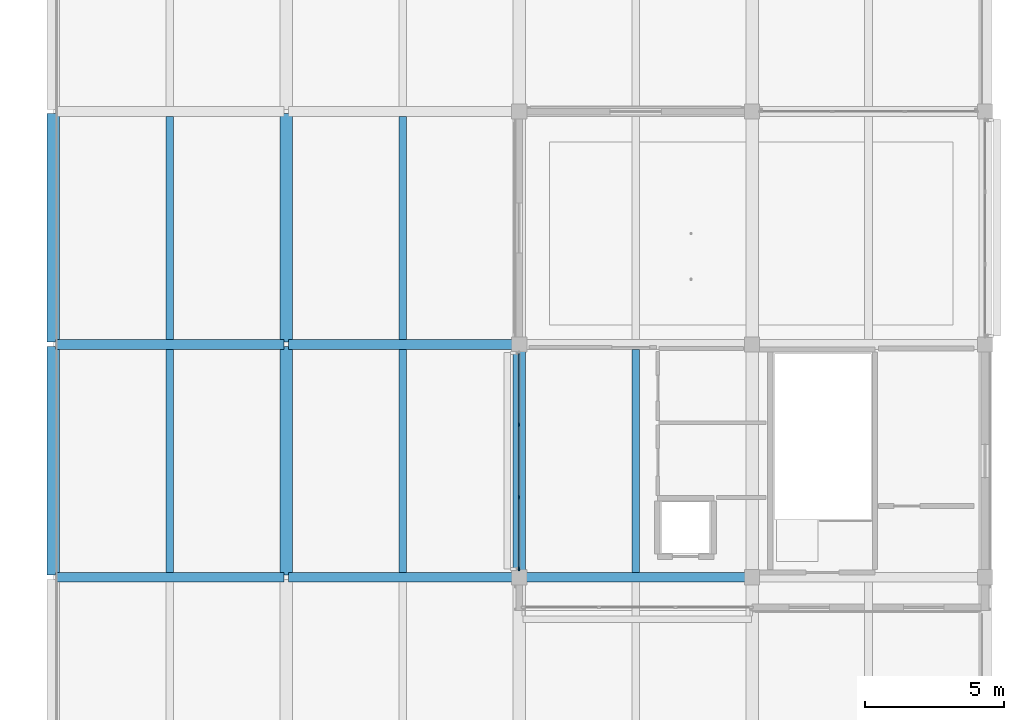
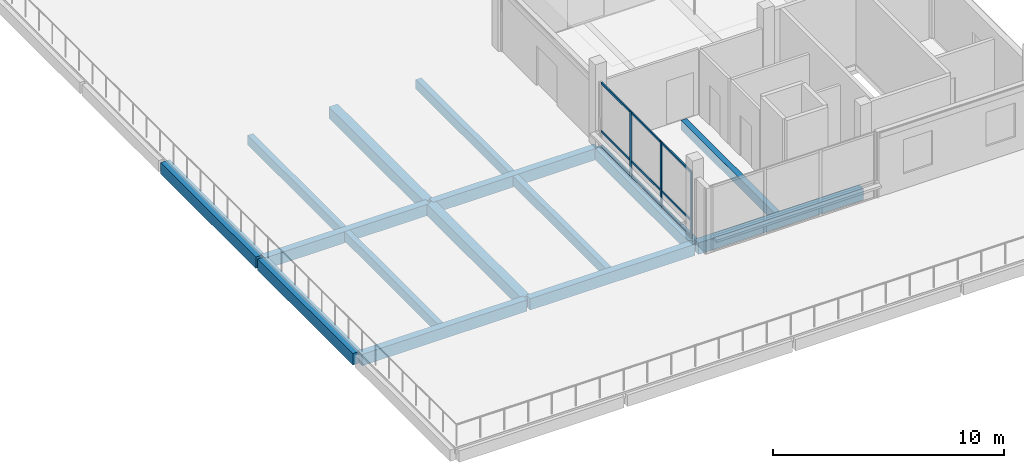
# One storey, part 3 of 59: 15 beams, 12 members, 1 element without a shape of its own.
"""IFC4 building model written with IfcOpenShell, lengths in metres."""

import ifcopenshell
import ifcopenshell.guid

model = None  # the IFC model being written
_history = None  # IfcOwnerHistory: only IFC2X3 demands one
_inside = {}  # id of a spatial element -> (the spatial element, [elements in it])
_under = {}  # id of a project, library or spatial element -> (it, [spatial elements below it])
_declared = {}  # id of a project -> (the project, [libraries it declares])
_typed = {}  # id of a type object -> (the type object, [elements of that type])
_made_of = {}  # id of a material, layer set ... -> (it, [elements and type objects made of it])


def new_model(schema):
    """Start an empty IFC model of exactly this schema.

    Asked for "IFC4X3", IfcOpenShell would pick the latest addendum, in which some entities
    have other attributes; the version numbers below select the first issue.
    IFC2X3 requires an IfcOwnerHistory on every rooted entity: one is made here for all.
    """
    global model, _history
    if schema == "IFC4X3":
        model = ifcopenshell.file(schema_version=(4, 3, 0, 0))
    else:
        model = ifcopenshell.file(schema=schema)
    _inside.clear()
    _under.clear()
    _declared.clear()
    _typed.clear()
    _made_of.clear()
    _history = None
    if model.schema == "IFC2X3":
        org = make("IfcOrganization", Name="unknown")
        user = make(
            "IfcPersonAndOrganization",
            ThePerson=make("IfcPerson", FamilyName="unknown"),
            TheOrganization=org,
        )
        app = make(
            "IfcApplication",
            ApplicationDeveloper=org,
            Version="unknown",
            ApplicationFullName="unknown",
            ApplicationIdentifier="unknown",
        )
        _history = make(
            "IfcOwnerHistory",
            OwningUser=user,
            OwningApplication=app,
            ChangeAction="ADDED",
            CreationDate=0,
        )
    return model


def make(cls, **values):
    """One entity of the class cls with the attributes given. An attribute that is None is left unset."""
    return model.create_entity(
        cls, **{name: value for name, value in values.items() if value is not None}
    )


def rooted(cls, **values):
    """An entity with a GlobalId (a new one), such as an element, a storey or a relation."""
    return make(cls, GlobalId=ifcopenshell.guid.new(), OwnerHistory=_history, **values)


def si_unit(unit_type, name, prefix=None):
    """IfcSIUnit, for example si_unit("LENGTHUNIT", "METRE", prefix="MILLI")."""
    return make("IfcSIUnit", UnitType=unit_type, Prefix=prefix, Name=name)


def assignment(units):
    """IfcUnitAssignment: the units of a project."""
    return None if units is None else make("IfcUnitAssignment", Units=units)


def point(xyz):
    """IfcCartesianPoint."""
    return None if xyz is None else make("IfcCartesianPoint", Coordinates=xyz)


def direction(xyz):
    """IfcDirection."""
    return None if xyz is None else make("IfcDirection", DirectionRatios=xyz)


def frame(location, z_axis=None, x_axis=None):
    """IfcAxis2Placement3D, a coordinate frame: its origin and axes. An axis left out is left unset."""
    return make(
        "IfcAxis2Placement3D",
        Location=point(location),
        Axis=direction(z_axis),
        RefDirection=direction(x_axis),
    )


def frame_2d(location, x_axis=None):
    """IfcAxis2Placement2D, a coordinate frame in the plane: its origin and x axis."""
    return make(
        "IfcAxis2Placement2D", Location=point(location), RefDirection=direction(x_axis)
    )


def origin():
    """The frame at (0, 0, 0) with its axes left unset."""
    return frame((0.0, 0.0, 0.0))


def origin_2d():
    """The frame at (0, 0) in the plane with its x axis left unset."""
    return frame_2d((0.0, 0.0))


def place(relative_to, where):
    """IfcLocalPlacement: puts the frame where relative to a parent placement (None: the world)."""
    return make(
        "IfcLocalPlacement", PlacementRelTo=relative_to, RelativePlacement=where
    )


def context(
    kind, dimensions, precision=None, world=None, true_north=None, identifier=None
):
    """IfcGeometricRepresentationContext, for example the 3D "Model" context."""
    return make(
        "IfcGeometricRepresentationContext",
        ContextIdentifier=identifier,
        ContextType=kind,
        CoordinateSpaceDimension=dimensions,
        Precision=precision,
        WorldCoordinateSystem=world,
        TrueNorth=true_north,
    )


def subcontext(parent, identifier, kind, view, scale=None):
    """IfcGeometricRepresentationSubContext, for example "Body" below "Model"."""
    return make(
        "IfcGeometricRepresentationSubContext",
        ContextIdentifier=identifier,
        ContextType=kind,
        ParentContext=parent,
        TargetScale=scale,
        TargetView=view,
    )


def project(units=None, contexts=None):
    """IfcProject with its units and contexts."""
    return rooted(
        "IfcProject",
        Name="project",
        RepresentationContexts=contexts,
        UnitsInContext=assignment(units),
    )


def spatial(cls, under=None, at=None, **own):
    """A site, building, storey or space (cls), placed at a placement, below another one or the project."""
    s = rooted(cls, ObjectPlacement=at, **own)
    if under is not None:
        _under.setdefault(under.id(), (under, []))[1].append(s)
    return s


def profile(cls, at=None, kind="AREA", **sizes):
    """A parametric profile (cls). Its sizes go by their IFC names, for example OverallWidth=200.0."""
    return make(cls, ProfileType=kind, Position=at, **sizes)


def rectangle(**sizes):
    """IfcRectangleProfileDef."""
    return profile("IfcRectangleProfileDef", **sizes)


def extrude(swept, where, along, depth):
    """IfcExtrudedAreaSolid: the profile swept, set in the frame where, extruded along a direction by depth."""
    return make(
        "IfcExtrudedAreaSolid",
        SweptArea=swept,
        Position=where,
        ExtrudedDirection=direction(along),
        Depth=depth,
    )


def shape(context_of_items, identifier, shape_type, items):
    """IfcShapeRepresentation: the items that make up one representation, for example the "Body"."""
    return make(
        "IfcShapeRepresentation",
        ContextOfItems=context_of_items,
        RepresentationIdentifier=identifier,
        RepresentationType=shape_type,
        Items=items,
    )


def material(Name=None, Category=None):
    """IfcMaterial."""
    return make("IfcMaterial", Name=Name, Category=Category)


def layer(
    of_material, thickness, ventilated=None, Name=None, Category=None, Priority=None
):
    """IfcMaterialLayer: one layer of a wall or slab, of a material (None: an air gap)."""
    return make(
        "IfcMaterialLayer",
        Material=of_material,
        LayerThickness=thickness,
        IsVentilated=ventilated,
        Name=Name,
        Category=Category,
        Priority=Priority,
    )


def layer_set(layers, Name=None):
    """IfcMaterialLayerSet."""
    return make("IfcMaterialLayerSet", MaterialLayers=layers, LayerSetName=Name)


def material_profile(
    of_material, cross_section, Name=None, Category=None, Priority=None
):
    """IfcMaterialProfile: a cross section and its material."""
    return make(
        "IfcMaterialProfile",
        Name=Name,
        Material=of_material,
        Profile=cross_section,
        Priority=Priority,
        Category=Category,
    )


def profile_set(profiles, Name=None, composite=None):
    """IfcMaterialProfileSet."""
    return make(
        "IfcMaterialProfileSet",
        Name=Name,
        MaterialProfiles=profiles,
        CompositeProfile=composite,
    )


def made_of(thing, what):
    """Note that an element or type object is made of a material, layer set ...; save() writes the relation."""
    if what is not None:
        _made_of.setdefault(what.id(), (what, []))[1].append(thing)
    return thing


def type_object(cls, material=None, **own):
    """A type object (cls), such as IfcWallType, which elements share."""
    return made_of(rooted(cls, **own), material)


def element(
    cls,
    number,
    at=None,
    inside=None,
    cuts=None,
    type_object=None,
    material=None,
    context=None,
    identifier="Body",
    shape_type=None,
    held_by="IfcProductDefinitionShape",
    body=None,
    shapes=None,
    **own,
):
    """One element of the class cls, such as IfcWall. Its Tag is "e" and its number.

    at: its placement. inside: the storey or other place that contains it. cuts: it is an
    opening in that element (IfcRelVoidsElement). A single representation is given by context,
    identifier, shape_type and body (its items); several are given by shapes. held_by: the class
    of the entity that holds the representations. save() writes the other relations.
    """
    e = rooted(cls, Tag="e%d" % number, ObjectPlacement=at, **own)
    if body is not None:
        shapes = [shape(context, identifier, shape_type, body)]
    if shapes is not None:
        e.Representation = make(held_by, Representations=shapes)
    if inside is not None:
        _inside.setdefault(inside.id(), (inside, []))[1].append(e)
    if cuts is not None:
        rooted(
            "IfcRelVoidsElement", RelatingBuildingElement=cuts, RelatedOpeningElement=e
        )
    if type_object is not None:
        _typed.setdefault(type_object.id(), (type_object, []))[1].append(e)
    return made_of(e, material)


def aggregate(whole, parts):
    """IfcRelAggregates: a whole, such as a stair, and the parts it consists of."""
    return rooted("IfcRelAggregates", RelatingObject=whole, RelatedObjects=parts)


def save(model, path):
    """Write the relations noted so far, then the file.

    IfcRelAggregates (storeys below a building ...), IfcRelContainedInSpatialStructure (elements
    in a storey), IfcRelDefinesByType, IfcRelAssociatesMaterial and IfcRelDeclares: one each for
    every whole, place, type object, material and project.
    """
    for whole, parts in _under.values():
        aggregate(whole, parts)
    for where, things in _inside.values():
        rooted(
            "IfcRelContainedInSpatialStructure",
            RelatedElements=things,
            RelatingStructure=where,
        )
    for kind, things in _typed.values():
        rooted("IfcRelDefinesByType", RelatedObjects=things, RelatingType=kind)
    for what, things in _made_of.values():
        rooted("IfcRelAssociatesMaterial", RelatedObjects=things, RelatingMaterial=what)
    for by, libraries in _declared.values():
        rooted("IfcRelDeclares", RelatingContext=by, RelatedDefinitions=libraries)
    model.write(path)


model = new_model("IFC4")

# Units and contexts
model_context = context("Model", 3, precision=1e-05, world=origin(), true_north=direction((0.0, 1.0)))
body_context = subcontext(model_context, "Body", "Model", "MODEL_VIEW")
ifc_project = project(units=[si_unit("LENGTHUNIT", "METRE"), si_unit("AREAUNIT", "SQUARE_METRE"), si_unit("VOLUMEUNIT", "CUBIC_METRE"), si_unit("PLANEANGLEUNIT", "RADIAN"), si_unit("MASSUNIT", "GRAM", prefix="KILO")], contexts=[model_context])

# Site, building, storey
site_placement = place(None, origin())
site = spatial("IfcSite", under=ifc_project, at=site_placement, CompositionType="ELEMENT")
building_placement = place(site_placement, origin())
building = spatial("IfcBuilding", under=site, at=building_placement, Name="Telukmera Botanical Conservatory", CompositionType="ELEMENT")
storey_placement = place(building_placement, frame((0.0, 0.0, 15.0)))
storey = spatial("IfcBuildingStorey", under=building, at=storey_placement, Name="L03", CompositionType="ELEMENT", Elevation=15.0)

# Beams
ifc_material_1 = material(Name="Concrete C40/50", Category="concrete")
ifc_material_profile_1 = material_profile(ifc_material_1, rectangle(XDim=0.449951171875, YDim=0.60009765625, at=origin_2d()), Name="RC 450x600")
ifc_profile_set_1 = profile_set([ifc_material_profile_1], Name="Concrete C40/50")
beam_type_1 = type_object("IfcBeamType", Name="Beam_B17", PredefinedType="BEAM", material=ifc_profile_set_1)
for number, where, z_axis, x_axis, name in (
    (1, (8.39990234375, 26.080078125, -0.300048828125), (0.0, 1.0, 0.0), (-1.0, 0.0, 0.0), "Visitor Wing Transverse Beam L03"),
    (2, (8.39990234375, 34.47998046875, -0.300048828125), (0.0, 1.0, 0.0), (-1.0, 0.0, 0.0), "Visitor Wing Transverse Beam L03"),
    (3, (16.800048828125, 26.080078125, -0.300048828125), (0.0, 1.0, 0.0), (-1.0, 0.0, 0.0), "Visitor Wing Transverse Beam L03"),
    (4, (16.800048828125, 34.47998046875, -0.300048828125), (0.0, 1.0, 0.0), (-1.0, 0.0, 0.0), "Visitor Wing Transverse Beam L03"),
    (5, (25.199951171875, 26.080078125, -0.300048828125), (0.0, 1.0, 0.0), (-1.0, 0.0, 0.0), "Visitor Wing Transverse Beam L03"),
):
    element("IfcBeam", number, at=place(storey_placement, frame(where, z_axis=z_axis, x_axis=x_axis)), inside=storey, type_object=beam_type_1, Name=name, PredefinedType="BEAM", context=body_context, shape_type="SweptSolid", body=[
        extrude(rectangle(XDim=0.449951171875, YDim=0.60009765625, at=origin_2d()), origin(), (0.0, 0.0, 1.0), 8.239990234375),
    ])
ifc_material_profile_2 = material_profile(ifc_material_1, rectangle(XDim=0.280029296875, YDim=0.5, at=origin_2d()), Name="RC 280x500")
ifc_profile_set_2 = profile_set([ifc_material_profile_2], Name="Concrete C40/50")
beam_type_2 = type_object("IfcBeamType", Name="Beam_B26", PredefinedType="JOIST", material=ifc_profile_set_2)
for number, where, z_axis, x_axis, name in (
    (6, (12.60009765625, 26.175048828125, -0.25), (0.0, 1.0, 0.0), (-1.0, 0.0, 0.0), "Visitor Wing Floor Joist L03"),
    (7, (12.60009765625, 34.574951171875, -0.25), (0.0, 1.0, 0.0), (-1.0, 0.0, 0.0), "Visitor Wing Floor Joist L03"),
    (8, (21.0, 26.175048828125, -0.25), (0.0, 1.0, 0.0), (-1.0, 0.0, 0.0), "Visitor Wing Floor Joist L03"),
    (9, (21.0, 34.574951171875, -0.25), (0.0, 1.0, 0.0), (-1.0, 0.0, 0.0), "Visitor Wing Floor Joist L03"),
    (10, (29.39990234375, 26.175048828125, -0.25), (0.0, 1.0, 0.0), (-1.0, 0.0, 0.0), "Visitor Wing Floor Joist L03"),
):
    element("IfcBeam", number, at=place(storey_placement, frame(where, z_axis=z_axis, x_axis=x_axis)), inside=storey, type_object=beam_type_2, Name=name, PredefinedType="JOIST", context=body_context, shape_type="SweptSolid", body=[
        extrude(rectangle(XDim=0.280029296875, YDim=0.5, at=origin_2d()), origin(), (0.0, 0.0, 1.0), 8.050048828125),
    ])
ifc_material_profile_3 = material_profile(ifc_material_1, rectangle(XDim=0.35009765625, YDim=0.60009765625, at=origin_2d()), Name="RC 350x600")
ifc_profile_set_3 = profile_set([ifc_material_profile_3], Name="Concrete C40/50")
beam_type_3 = type_object("IfcBeamType", Name="Beam_B9", PredefinedType="BEAM", material=ifc_profile_set_3)
beam_1_placement = place(storey_placement, frame((8.47998046875, 26.0, -0.300048828125), z_axis=(1.0, 0.0, 0.0), x_axis=(0.0, 1.0, 0.0)))
element("IfcBeam", 11, at=beam_1_placement, inside=storey, type_object=beam_type_3, Name="Visitor Wing Grid Beam L03", PredefinedType="BEAM", context=body_context, shape_type="SweptSolid", body=[
    extrude(rectangle(XDim=0.35009765625, YDim=0.60009765625, at=origin_2d()), origin(), (0.0, 0.0, 1.0), 8.239990234375),
])
beam_2_placement = place(storey_placement, frame((16.8798828125, 26.0, -0.300048828125), z_axis=(1.0, 0.0, 0.0), x_axis=(0.0, 1.0, 0.0)))
element("IfcBeam", 12, at=beam_2_placement, inside=storey, type_object=beam_type_3, Name="Visitor Wing Grid Beam L03", PredefinedType="BEAM", context=body_context, shape_type="SweptSolid", body=[
    extrude(rectangle(XDim=0.35009765625, YDim=0.60009765625, at=origin_2d()), origin(), (0.0, 0.0, 1.0), 8.240234375),
])
for number, where, z_axis, x_axis, name in (
    (13, (25.280029296875, 26.0, -0.300048828125), (1.0, 0.0, 0.0), (0.0, 1.0, 0.0), "Visitor Wing Grid Beam L03"),
    (14, (8.47998046875, 34.39990234375, -0.300048828125), (1.0, 0.0, 0.0), (0.0, 1.0, 0.0), "Visitor Wing Grid Beam L03"),
):
    element("IfcBeam", number, at=place(storey_placement, frame(where, z_axis=z_axis, x_axis=x_axis)), inside=storey, type_object=beam_type_3, Name=name, PredefinedType="BEAM", context=body_context, shape_type="SweptSolid", body=[
        extrude(rectangle(XDim=0.35009765625, YDim=0.60009765625, at=origin_2d()), origin(), (0.0, 0.0, 1.0), 8.239990234375),
    ])
beam_3_placement = place(storey_placement, frame((16.8798828125, 34.39990234375, -0.300048828125), z_axis=(1.0, 0.0, 0.0), x_axis=(0.0, 1.0, 0.0)))
element("IfcBeam", 15, at=beam_3_placement, inside=storey, type_object=beam_type_3, Name="Visitor Wing Grid Beam L03", PredefinedType="BEAM", context=body_context, shape_type="SweptSolid", body=[
    extrude(rectangle(XDim=0.35009765625, YDim=0.60009765625, at=origin_2d()), origin(), (0.0, 0.0, 1.0), 8.240234375),
])

# Curtain wall, members
ifc_material_2 = material(Name="Anodised aluminium 6063-T6", Category="aluminium")
ifc_layer = layer(ifc_material_2, 0.179931640625)
ifc_layer_set = layer_set([ifc_layer], Name="Anodised aluminium 6063-T6")
curtain_wall_type = type_object("IfcCurtainWallType", Name="Visitor Rooftop Lounge Terrace Curtain Wall", PredefinedType="USERDEFINED", material=ifc_layer_set)
curtain_wall_placement = place(storey_placement, origin())
curtain_wall = element("IfcCurtainWall", 16, at=curtain_wall_placement, inside=storey, type_object=curtain_wall_type, Name="Unitised Curtain Wall CW11 V3:L03:W1", ObjectType="UNITISED CURTAIN WALL", PredefinedType="USERDEFINED")
ifc_material_profile_4 = material_profile(ifc_material_2, rectangle(XDim=0.06005859375, YDim=0.139892578125, at=origin_2d()), Name="ALU MULL 60x140")
ifc_profile_set_4 = profile_set([ifc_material_profile_4], Name="Anodised aluminium 6063-T6")
member_type_1 = type_object("IfcMemberType", Name="Curtain Wall Extruded Mullion 60x140", PredefinedType="MULLION", material=ifc_profile_set_4)
member_1_placement = place(storey_placement, frame((25.199951171875, 26.306884765625, 0.0), z_axis=(0.0, 0.0, 1.0), x_axis=(-1.0, 0.0, 0.0)))
member_1 = element("IfcMember", 17, at=member_1_placement, type_object=member_type_1, Name="CW11 mullion 1", PredefinedType="MULLION", context=body_context, shape_type="SweptSolid", body=[
    extrude(rectangle(XDim=0.06005859375, YDim=0.139892578125, at=origin_2d()), origin(), (0.0, 0.0, 1.0), 3.550048828125),
])
member_2_placement = place(storey_placement, frame((25.199951171875, 28.892333984375, 0.0), z_axis=(0.0, 0.0, 1.0), x_axis=(-1.0, 0.0, 0.0)))
member_2 = element("IfcMember", 18, at=member_2_placement, type_object=member_type_1, Name="CW11 mullion 2", PredefinedType="MULLION", context=body_context, shape_type="SweptSolid", body=[
    extrude(rectangle(XDim=0.06005859375, YDim=0.139892578125, at=origin_2d()), origin(), (0.0, 0.0, 1.0), 3.550048828125),
])
member_3_placement = place(storey_placement, frame((25.199951171875, 31.507568359375, 0.0), z_axis=(0.0, 0.0, 1.0), x_axis=(-1.0, 0.0, 0.0)))
member_3 = element("IfcMember", 19, at=member_3_placement, type_object=member_type_1, Name="CW11 mullion 3", PredefinedType="MULLION", context=body_context, shape_type="SweptSolid", body=[
    extrude(rectangle(XDim=0.06005859375, YDim=0.139892578125, at=origin_2d()), origin(), (0.0, 0.0, 1.0), 3.550048828125),
])
ifc_material_profile_5 = material_profile(ifc_material_2, rectangle(XDim=0.06005859375, YDim=0.110107421875, at=origin_2d()), Name="ALU TRAN 60x110")
ifc_profile_set_5 = profile_set([ifc_material_profile_5], Name="Anodised aluminium 6063-T6")
member_type_2 = type_object("IfcMemberType", Name="Curtain Wall Extruded Transom 60x110", PredefinedType="USERDEFINED", material=ifc_profile_set_5)
member_4_placement = place(storey_placement, frame((25.199951171875, 26.3369140625, 0.054931640625), z_axis=(0.0, 1.0, 0.0), x_axis=(-1.0, 0.0, 0.0)))
member_4 = element("IfcMember", 20, at=member_4_placement, type_object=member_type_2, Name="CW11 transom 1.1", ObjectType="TRANSOM", PredefinedType="USERDEFINED", context=body_context, shape_type="SweptSolid", body=[
    extrude(rectangle(XDim=0.06005859375, YDim=0.110107421875, at=origin_2d()), origin(), (0.0, 0.0, 1.0), 2.525390625),
])
member_5_placement = place(storey_placement, frame((25.199951171875, 26.3369140625, 0.949951171875), z_axis=(0.0, 1.0, 0.0), x_axis=(-1.0, 0.0, 0.0)))
member_5 = element("IfcMember", 21, at=member_5_placement, type_object=member_type_2, Name="CW11 transom 1.2", ObjectType="TRANSOM", PredefinedType="USERDEFINED", context=body_context, shape_type="SweptSolid", body=[
    extrude(rectangle(XDim=0.06005859375, YDim=0.110107421875, at=origin_2d()), origin(), (0.0, 0.0, 1.0), 2.525390625),
])
member_6_placement = place(storey_placement, frame((25.199951171875, 26.3369140625, 3.4951171875), z_axis=(0.0, 1.0, 0.0), x_axis=(-1.0, 0.0, 0.0)))
member_6 = element("IfcMember", 22, at=member_6_placement, type_object=member_type_2, Name="CW11 transom 1.3", ObjectType="TRANSOM", PredefinedType="USERDEFINED", context=body_context, shape_type="SweptSolid", body=[
    extrude(rectangle(XDim=0.06005859375, YDim=0.110107421875, at=origin_2d()), origin(), (0.0, 0.0, 1.0), 2.525390625),
])
member_7_placement = place(storey_placement, frame((25.199951171875, 28.92236328125, 0.054931640625), z_axis=(0.0, 1.0, 0.0), x_axis=(-1.0, 0.0, 0.0)))
member_7 = element("IfcMember", 23, at=member_7_placement, type_object=member_type_2, Name="CW11 transom 2.1", ObjectType="TRANSOM", PredefinedType="USERDEFINED", context=body_context, shape_type="SweptSolid", body=[
    extrude(rectangle(XDim=0.06005859375, YDim=0.110107421875, at=origin_2d()), origin(), (0.0, 0.0, 1.0), 2.555419921875),
])
member_8_placement = place(storey_placement, frame((25.199951171875, 28.92236328125, 0.949951171875), z_axis=(0.0, 1.0, 0.0), x_axis=(-1.0, 0.0, 0.0)))
member_8 = element("IfcMember", 24, at=member_8_placement, type_object=member_type_2, Name="CW11 transom 2.2", ObjectType="TRANSOM", PredefinedType="USERDEFINED", context=body_context, shape_type="SweptSolid", body=[
    extrude(rectangle(XDim=0.06005859375, YDim=0.110107421875, at=origin_2d()), origin(), (0.0, 0.0, 1.0), 2.555419921875),
])
member_9_placement = place(storey_placement, frame((25.199951171875, 28.92236328125, 3.4951171875), z_axis=(0.0, 1.0, 0.0), x_axis=(-1.0, 0.0, 0.0)))
member_9 = element("IfcMember", 25, at=member_9_placement, type_object=member_type_2, Name="CW11 transom 2.3", ObjectType="TRANSOM", PredefinedType="USERDEFINED", context=body_context, shape_type="SweptSolid", body=[
    extrude(rectangle(XDim=0.06005859375, YDim=0.110107421875, at=origin_2d()), origin(), (0.0, 0.0, 1.0), 2.555419921875),
])
member_10_placement = place(storey_placement, frame((25.199951171875, 31.53759765625, 0.054931640625), z_axis=(0.0, 1.0, 0.0), x_axis=(-1.0, 0.0, 0.0)))
member_10 = element("IfcMember", 26, at=member_10_placement, type_object=member_type_2, Name="CW11 transom 3.1", ObjectType="TRANSOM", PredefinedType="USERDEFINED", context=body_context, shape_type="SweptSolid", body=[
    extrude(rectangle(XDim=0.06005859375, YDim=0.110107421875, at=origin_2d()), origin(), (0.0, 0.0, 1.0), 2.525390625),
])
member_11_placement = place(storey_placement, frame((25.199951171875, 31.53759765625, 0.949951171875), z_axis=(0.0, 1.0, 0.0), x_axis=(-1.0, 0.0, 0.0)))
member_11 = element("IfcMember", 27, at=member_11_placement, type_object=member_type_2, Name="CW11 transom 3.2", ObjectType="TRANSOM", PredefinedType="USERDEFINED", context=body_context, shape_type="SweptSolid", body=[
    extrude(rectangle(XDim=0.06005859375, YDim=0.110107421875, at=origin_2d()), origin(), (0.0, 0.0, 1.0), 2.525390625),
])
member_12_placement = place(storey_placement, frame((25.199951171875, 31.53759765625, 3.4951171875), z_axis=(0.0, 1.0, 0.0), x_axis=(-1.0, 0.0, 0.0)))
member_12 = element("IfcMember", 28, at=member_12_placement, type_object=member_type_2, Name="CW11 transom 3.3", ObjectType="TRANSOM", PredefinedType="USERDEFINED", context=body_context, shape_type="SweptSolid", body=[
    extrude(rectangle(XDim=0.06005859375, YDim=0.110107421875, at=origin_2d()), origin(), (0.0, 0.0, 1.0), 2.525390625),
])
aggregate(curtain_wall, [member_1, member_2, member_3, member_4, member_5, member_6, member_7, member_8, member_9, member_10, member_11, member_12])

save(model, "model.ifc")
